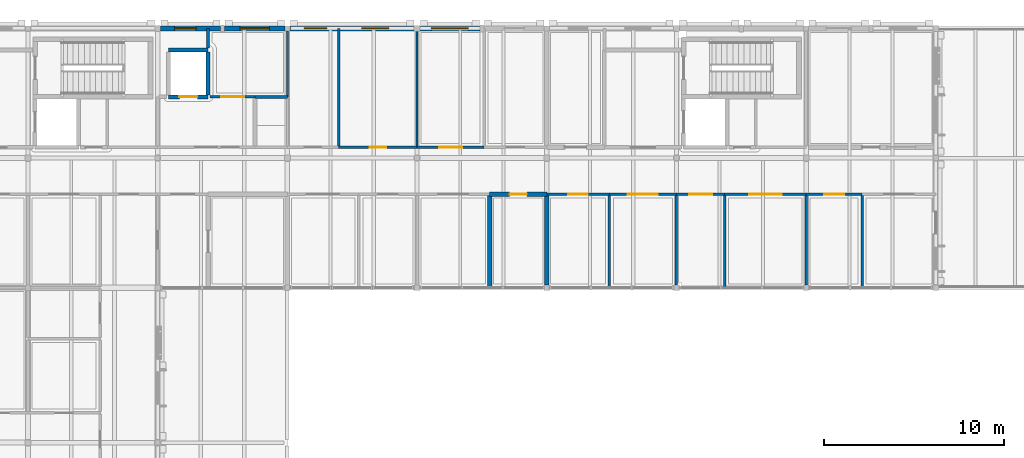
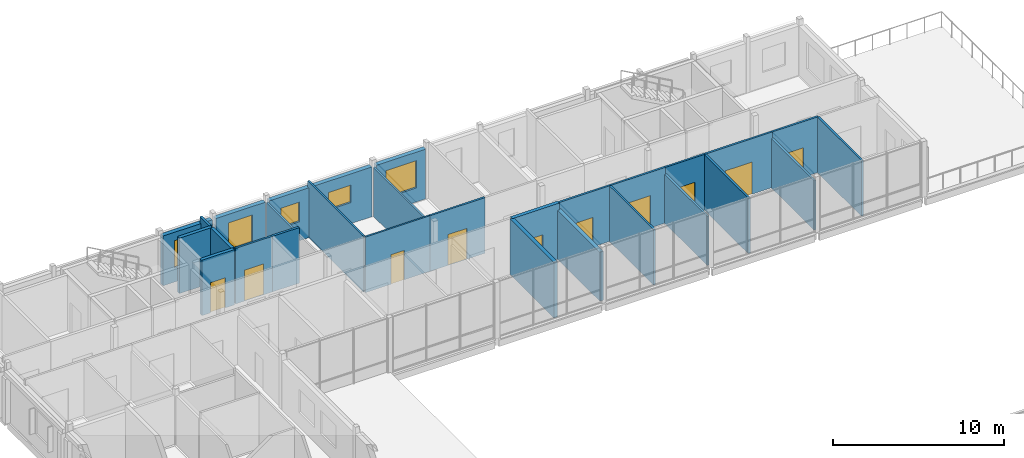
# One storey, part 40 of 57: 28 walls, 10 doors, 5 windows, 15 openings.
"""IFC4 building model written with IfcOpenShell, lengths in metres."""

from ifc_helpers import new_model, si_unit, direction, frame, frame_2d, origin, place, context, subcontext, project, spatial, rectangle, extrude, material, layer, layer_set, type_object, element, fill, save


model = new_model("IFC4")

# Units and contexts
model_context = context("Model", 3, precision=1e-05, world=origin(), true_north=direction((0.0, 1.0)))
body_context = subcontext(model_context, "Body", "Model", "MODEL_VIEW")
ifc_project = project(units=[si_unit("LENGTHUNIT", "METRE"), si_unit("AREAUNIT", "SQUARE_METRE"), si_unit("VOLUMEUNIT", "CUBIC_METRE"), si_unit("PLANEANGLEUNIT", "RADIAN"), si_unit("MASSUNIT", "GRAM", prefix="KILO")], contexts=[model_context])

# Site, building, storey
site_placement = place(None, origin())
site = spatial("IfcSite", under=ifc_project, at=site_placement, CompositionType="ELEMENT")
building_placement = place(site_placement, origin())
building = spatial("IfcBuilding", under=site, at=building_placement, Name="Hawrajan Terrace Health Centre", CompositionType="ELEMENT")
storey_placement = place(building_placement, frame((0.0, 0.0, 13.199951171875)))
storey = spatial("IfcBuildingStorey", under=building, at=storey_placement, Name="L03", CompositionType="ELEMENT", Elevation=13.199951171875)

# Wall, opening, door
ifc_material_1 = material(Name="Gypsum board on acoustic stud framing")
ifc_layer_1 = layer(ifc_material_1, 0.139892578125)
ifc_layer_set_1 = layer_set([ifc_layer_1], Name="Gypsum board on acoustic stud framing")
wall_type_1 = type_object("IfcWallType", Name="ClinicalAcousticWall_140", PredefinedType="PARTITIONING", material=ifc_layer_set_1)
wall_1_placement = place(storey_placement, frame((21.909912109375, 56.0, 0.0), z_axis=(0.0, 0.0, 1.0), x_axis=(1.0, 0.0, 0.0)))
wall_1 = element("IfcWall", 1, at=wall_1_placement, inside=storey, type_object=wall_type_1, Name="Interior wall IW-L03-1310", PredefinedType="PARTITIONING", context=body_context, shape_type="SweptSolid", body=[
    extrude(rectangle(XDim=2.489990234375, YDim=0.139892578125, at=frame_2d((1.2451171875, 0.0))), origin(), (0.0, 0.0, 1.0), 3.9599609375),
])
opening_1_placement = place(wall_1_placement, frame((0.60498046875, 0.0, 0.0)))
opening_1 = element("IfcOpeningElement", 2, at=opening_1_placement, cuts=wall_1, Name="Opening D-L03-600", PredefinedType="OPENING", context=body_context, shape_type="SweptSolid", body=[
    extrude(rectangle(XDim=1.280029296875, YDim=2.199951171875, at=frame_2d((0.64013671875, 1.10009765625))), frame((0.0, 0.079833984375, 0.0), z_axis=(0.0, -1.0, 0.0), x_axis=(1.0, 0.0, 0.0)), (0.0, 0.0, 1.0), 0.159912109375),
])
ifc_material_2 = material(Name="Hardwood acoustic clinical door leaf and frame", Category="wood")
door_type_1 = type_object("IfcDoorType", Name="ExamSuiteDoor_1280x2200", OperationType="NOTDEFINED", PredefinedType="DOOR", material=ifc_material_2)
door_1_placement = place(opening_1_placement, origin())
door_1 = element("IfcDoor", 3, at=door_1_placement, inside=storey, type_object=door_type_1, Name="Interior door D-L03-600", OperationType="SINGLE_SWING_RIGHT", OverallHeight=2.199951171875, OverallWidth=1.280029296875, PredefinedType="DOOR", context=body_context, shape_type="SweptSolid", body=[
    extrude(rectangle(XDim=1.280029296875, YDim=2.199951171875, at=frame_2d((0.64013671875, 1.10009765625))), frame((0.0, 0.02490234375, 0.0), z_axis=(0.0, -1.0, 0.0), x_axis=(1.0, 0.0, 0.0)), (0.0, 0.0, 1.0), 0.050048828125),
])
fill(opening_1, door_1)

wall_2_placement = place(storey_placement, frame((33.39990234375, 53.199951171875, 0.0), z_axis=(0.0, 0.0, 1.0), x_axis=(1.0, 0.0, 0.0)))
wall_2 = element("IfcWall", 4, at=wall_2_placement, inside=storey, type_object=wall_type_1, Name="Interior wall IW-L03-1322", PredefinedType="PARTITIONING", context=body_context, shape_type="SweptSolid", body=[
    extrude(rectangle(XDim=3.72216796875, YDim=0.139892578125, at=frame_2d((1.861083984375, 0.0))), origin(), (0.0, 0.0, 1.0), 3.9599609375),
])
opening_2_placement = place(wall_2_placement, frame((1.220947265625, 0.0, 0.0)))
opening_2 = element("IfcOpeningElement", 5, at=opening_2_placement, cuts=wall_2, Name="Opening D-L03-605", PredefinedType="OPENING", context=body_context, shape_type="SweptSolid", body=[
    extrude(rectangle(XDim=1.280029296875, YDim=2.199951171875, at=frame_2d((0.64013671875, 1.10009765625))), frame((0.0, 0.079833984375, 0.0), z_axis=(0.0, -1.0, 0.0), x_axis=(1.0, 0.0, 0.0)), (0.0, 0.0, 1.0), 0.159912109375),
])
door_2_placement = place(opening_2_placement, origin())
door_2 = element("IfcDoor", 6, at=door_2_placement, inside=storey, type_object=door_type_1, Name="Interior door D-L03-605", OperationType="SINGLE_SWING_LEFT", OverallHeight=2.199951171875, OverallWidth=1.280029296875, PredefinedType="DOOR", context=body_context, shape_type="SweptSolid", body=[
    extrude(rectangle(XDim=1.280029296875, YDim=2.199951171875, at=frame_2d((0.64013671875, 1.10009765625))), frame((0.0, 0.02490234375, 0.0), z_axis=(0.0, -1.0, 0.0), x_axis=(1.0, 0.0, 0.0)), (0.0, 0.0, 1.0), 0.050048828125),
])
fill(opening_2, door_2)

wall_3_placement = place(storey_placement, frame((40.60009765625, 50.60009765625, 0.0), z_axis=(0.0, 0.0, 1.0), x_axis=(1.0, 0.0, 0.0)))
wall_3 = element("IfcWall", 7, at=wall_3_placement, inside=storey, type_object=wall_type_1, Name="Interior wall IW-L03-1328", PredefinedType="PARTITIONING", context=body_context, shape_type="SweptSolid", body=[
    extrude(rectangle(XDim=3.477783203125, YDim=0.139892578125, at=frame_2d((1.73876953125, 0.0))), origin(), (0.0, 0.0, 1.0), 3.9599609375),
])
opening_3_placement = place(wall_3_placement, frame((1.18896484375, 0.0, 0.0)))
opening_3 = element("IfcOpeningElement", 8, at=opening_3_placement, cuts=wall_3, Name="Opening D-L03-607", PredefinedType="OPENING", context=body_context, shape_type="SweptSolid", body=[
    extrude(rectangle(XDim=1.10009765625, YDim=2.10009765625, at=frame_2d((0.550048828125, 1.050048828125))), frame((0.0, 0.079833984375, 0.0), z_axis=(0.0, -1.0, 0.0), x_axis=(1.0, 0.0, 0.0)), (0.0, 0.0, 1.0), 0.159912109375),
])
door_type_2 = type_object("IfcDoorType", Name="ConsultDoor_1100x2100", OperationType="NOTDEFINED", PredefinedType="DOOR", material=ifc_material_2)
door_3_placement = place(opening_3_placement, origin())
door_3 = element("IfcDoor", 9, at=door_3_placement, inside=storey, type_object=door_type_2, Name="Interior door D-L03-607", OperationType="SINGLE_SWING_LEFT", OverallHeight=2.10009765625, OverallWidth=1.10009765625, PredefinedType="DOOR", context=body_context, shape_type="SweptSolid", body=[
    extrude(rectangle(XDim=1.10009765625, YDim=2.10009765625, at=frame_2d((0.550048828125, 1.050048828125))), frame((0.0, 0.02490234375, 0.0), z_axis=(0.0, -1.0, 0.0), x_axis=(1.0, 0.0, 0.0)), (0.0, 0.0, 1.0), 0.050048828125),
])
fill(opening_3, door_3)

# Wall
wall_4_placement = place(storey_placement, frame((44.077880859375, 45.39990234375, 0.0), z_axis=(0.0, 0.0, 1.0), x_axis=(0.0, 1.0, 0.0)))
element("IfcWall", 10, at=wall_4_placement, inside=storey, type_object=wall_type_1, Name="Interior wall IW-L03-1333", PredefinedType="PARTITIONING", context=body_context, shape_type="SweptSolid", body=[
    extrude(rectangle(XDim=5.130126953125, YDim=0.139892578125, at=frame_2d((2.56494140625, 0.0))), origin(), (0.0, 0.0, 1.0), 3.9599609375),
])

# Wall, opening, door
wall_5_placement = place(storey_placement, frame((44.077880859375, 50.60009765625, 0.0), z_axis=(0.0, 0.0, 1.0), x_axis=(1.0, 0.0, 0.0)))
wall_5 = element("IfcWall", 11, at=wall_5_placement, inside=storey, type_object=wall_type_1, Name="Interior wall IW-L03-1334", PredefinedType="PARTITIONING", context=body_context, shape_type="SweptSolid", body=[
    extrude(rectangle(XDim=3.72216796875, YDim=0.139892578125, at=frame_2d((1.861083984375, 0.0))), origin(), (0.0, 0.0, 1.0), 3.9599609375),
])
opening_4_placement = place(wall_5_placement, frame((1.031005859375, 0.0, 0.0)))
opening_4 = element("IfcOpeningElement", 12, at=opening_4_placement, cuts=wall_5, Name="Opening D-L03-608", PredefinedType="OPENING", context=body_context, shape_type="SweptSolid", body=[
    extrude(rectangle(XDim=1.659912109375, YDim=2.300048828125, at=frame_2d((0.830078125, 1.14990234375))), frame((0.0, 0.079833984375, 0.0), z_axis=(0.0, -1.0, 0.0), x_axis=(1.0, 0.0, 0.0)), (0.0, 0.0, 1.0), 0.159912109375),
])
door_type_3 = type_object("IfcDoorType", Name="RehabGymDoor_1660x2300", OperationType="DOUBLE_DOOR_SINGLE_SWING", PredefinedType="DOOR", material=ifc_material_2)
door_4_placement = place(opening_4_placement, origin())
door_4 = element("IfcDoor", 13, at=door_4_placement, inside=storey, type_object=door_type_3, Name="Interior door D-L03-608", OperationType="DOUBLE_DOOR_SINGLE_SWING", OverallHeight=2.300048828125, OverallWidth=1.659912109375, PredefinedType="DOOR", context=body_context, shape_type="SweptSolid", body=[
    extrude(rectangle(XDim=1.659912109375, YDim=2.300048828125, at=frame_2d((0.830078125, 1.14990234375))), frame((0.0, 0.02490234375, 0.0), z_axis=(0.0, -1.0, 0.0), x_axis=(1.0, 0.0, 0.0)), (0.0, 0.0, 1.0), 0.050048828125),
])
fill(opening_4, door_4)

# Wall
wall_6_placement = place(storey_placement, frame((47.800048828125, 45.56005859375, 0.0), z_axis=(0.0, 0.0, 1.0), x_axis=(0.0, 1.0, 0.0)))
element("IfcWall", 14, at=wall_6_placement, inside=storey, type_object=wall_type_1, Name="Interior wall IW-L03-1337", PredefinedType="PARTITIONING", context=body_context, shape_type="SweptSolid", body=[
    extrude(rectangle(XDim=4.969970703125, YDim=0.139892578125, at=frame_2d((2.48486328125, 0.0))), origin(), (0.0, 0.0, 1.0), 3.489990234375),
])

# Wall, opening, door
wall_7_placement = place(storey_placement, frame((47.800048828125, 50.60009765625, 0.0), z_axis=(0.0, 0.0, 1.0), x_axis=(1.0, 0.0, 0.0)))
wall_7 = element("IfcWall", 15, at=wall_7_placement, inside=storey, type_object=wall_type_1, Name="Interior wall IW-L03-1338", PredefinedType="PARTITIONING", context=body_context, shape_type="SweptSolid", body=[
    extrude(rectangle(XDim=2.677978515625, YDim=0.139892578125, at=frame_2d((1.3388671875, 0.0))), origin(), (0.0, 0.0, 1.0), 3.9599609375),
])
opening_5_placement = place(wall_7_placement, frame((0.698974609375, 0.0, 0.0)))
opening_5 = element("IfcOpeningElement", 16, at=opening_5_placement, cuts=wall_7, Name="Opening D-L03-610", PredefinedType="OPENING", context=body_context, shape_type="SweptSolid", body=[
    extrude(rectangle(XDim=1.280029296875, YDim=2.199951171875, at=frame_2d((0.64013671875, 1.10009765625))), frame((0.0, 0.079833984375, 0.0), z_axis=(0.0, -1.0, 0.0), x_axis=(1.0, 0.0, 0.0)), (0.0, 0.0, 1.0), 0.159912109375),
])
door_5_placement = place(opening_5_placement, origin())
door_5 = element("IfcDoor", 17, at=door_5_placement, inside=storey, type_object=door_type_1, Name="Interior door D-L03-610", OperationType="SINGLE_SWING_RIGHT", OverallHeight=2.199951171875, OverallWidth=1.280029296875, PredefinedType="DOOR", context=body_context, shape_type="SweptSolid", body=[
    extrude(rectangle(XDim=1.280029296875, YDim=2.199951171875, at=frame_2d((0.64013671875, 1.10009765625))), frame((0.0, 0.02490234375, 0.0), z_axis=(0.0, -1.0, 0.0), x_axis=(1.0, 0.0, 0.0)), (0.0, 0.0, 1.0), 0.050048828125),
])
fill(opening_5, door_5)

# Wall
wall_8_placement = place(storey_placement, frame((50.47802734375, 45.39990234375, 0.0), z_axis=(0.0, 0.0, 1.0), x_axis=(0.0, 1.0, 0.0)))
element("IfcWall", 18, at=wall_8_placement, inside=storey, type_object=wall_type_1, Name="Interior wall IW-L03-1339", PredefinedType="PARTITIONING", context=body_context, shape_type="SweptSolid", body=[
    extrude(rectangle(XDim=5.130126953125, YDim=0.139892578125, at=frame_2d((2.56494140625, 0.0))), origin(), (0.0, 0.0, 1.0), 3.9599609375),
])

# Wall, opening, door
wall_9_placement = place(storey_placement, frame((50.47802734375, 50.60009765625, 0.0), z_axis=(0.0, 0.0, 1.0), x_axis=(1.0, 0.0, 0.0)))
wall_9 = element("IfcWall", 19, at=wall_9_placement, inside=storey, type_object=wall_type_1, Name="Interior wall IW-L03-1340", PredefinedType="PARTITIONING", context=body_context, shape_type="SweptSolid", body=[
    extrude(rectangle(XDim=4.52197265625, YDim=0.139892578125, at=frame_2d((2.260986328125, 0.0))), origin(), (0.0, 0.0, 1.0), 3.9599609375),
])
opening_6_placement = place(wall_9_placement, frame((1.361083984375, 0.0, 0.0)))
opening_6 = element("IfcOpeningElement", 20, at=opening_6_placement, cuts=wall_9, Name="Opening D-L03-611", PredefinedType="OPENING", context=body_context, shape_type="SweptSolid", body=[
    extrude(rectangle(XDim=1.800048828125, YDim=2.300048828125, at=frame_2d((0.89990234375, 1.14990234375))), frame((0.0, 0.079833984375, 0.0), z_axis=(0.0, -1.0, 0.0), x_axis=(1.0, 0.0, 0.0)), (0.0, 0.0, 1.0), 0.159912109375),
])
door_type_4 = type_object("IfcDoorType", Name="EducationHallDoor_1800x2300", OperationType="DOUBLE_DOOR_SINGLE_SWING", PredefinedType="DOOR", material=ifc_material_2)
door_6_placement = place(opening_6_placement, origin())
door_6 = element("IfcDoor", 21, at=door_6_placement, inside=storey, type_object=door_type_4, Name="Interior door D-L03-611", OperationType="DOUBLE_DOOR_SINGLE_SWING", OverallHeight=2.300048828125, OverallWidth=1.800048828125, PredefinedType="DOOR", context=body_context, shape_type="SweptSolid", body=[
    extrude(rectangle(XDim=1.800048828125, YDim=2.300048828125, at=frame_2d((0.89990234375, 1.14990234375))), frame((0.0, 0.02490234375, 0.0), z_axis=(0.0, -1.0, 0.0), x_axis=(1.0, 0.0, 0.0)), (0.0, 0.0, 1.0), 0.050048828125),
])
fill(opening_6, door_6)

# Wall
wall_10_placement = place(storey_placement, frame((55.0, 45.5400390625, 0.0), z_axis=(0.0, 0.0, 1.0), x_axis=(0.0, 1.0, 0.0)))
element("IfcWall", 22, at=wall_10_placement, inside=storey, type_object=wall_type_1, Name="Interior wall IW-L03-1346", PredefinedType="PARTITIONING", context=body_context, shape_type="SweptSolid", body=[
    extrude(rectangle(XDim=4.989990234375, YDim=0.139892578125, at=frame_2d((2.4951171875, 0.0))), origin(), (0.0, 0.0, 1.0), 3.52001953125),
])

# Wall, opening, door
wall_11_placement = place(storey_placement, frame((55.0, 50.60009765625, 0.0), z_axis=(0.0, 0.0, 1.0), x_axis=(1.0, 0.0, 0.0)))
wall_11 = element("IfcWall", 23, at=wall_11_placement, inside=storey, type_object=wall_type_1, Name="Interior wall IW-L03-1347", PredefinedType="PARTITIONING", context=body_context, shape_type="SweptSolid", body=[
    extrude(rectangle(XDim=3.110107421875, YDim=0.139892578125, at=frame_2d((1.55517578125, 0.0))), origin(), (0.0, 0.0, 1.0), 3.9599609375),
])
opening_7_placement = place(wall_11_placement, frame((1.0048828125, 0.0, 0.0)))
opening_7 = element("IfcOpeningElement", 24, at=opening_7_placement, cuts=wall_11, Name="Opening D-L03-612", PredefinedType="OPENING", context=body_context, shape_type="SweptSolid", body=[
    extrude(rectangle(XDim=1.10009765625, YDim=2.10009765625, at=frame_2d((0.550048828125, 1.050048828125))), frame((0.0, 0.079833984375, 0.0), z_axis=(0.0, -1.0, 0.0), x_axis=(1.0, 0.0, 0.0)), (0.0, 0.0, 1.0), 0.159912109375),
])
door_7_placement = place(opening_7_placement, origin())
door_7 = element("IfcDoor", 25, at=door_7_placement, inside=storey, type_object=door_type_2, Name="Interior door D-L03-612", OperationType="SINGLE_SWING_RIGHT", OverallHeight=2.10009765625, OverallWidth=1.10009765625, PredefinedType="DOOR", context=body_context, shape_type="SweptSolid", body=[
    extrude(rectangle(XDim=1.10009765625, YDim=2.10009765625, at=frame_2d((0.550048828125, 1.050048828125))), frame((0.0, 0.02490234375, 0.0), z_axis=(0.0, -1.0, 0.0), x_axis=(1.0, 0.0, 0.0)), (0.0, 0.0, 1.0), 0.050048828125),
])
fill(opening_7, door_7)

# Walls
wall_12_placement = place(storey_placement, frame((58.110107421875, 45.39990234375, 0.0), z_axis=(0.0, 0.0, 1.0), x_axis=(0.0, 1.0, 0.0)))
element("IfcWall", 26, at=wall_12_placement, inside=storey, type_object=wall_type_1, Name="Interior wall IW-L03-1352", PredefinedType="PARTITIONING", context=body_context, shape_type="SweptSolid", body=[
    extrude(rectangle(XDim=5.130126953125, YDim=0.139892578125, at=frame_2d((2.56494140625, 0.0))), origin(), (0.0, 0.0, 1.0), 3.9599609375),
])
ifc_layer_2 = layer(ifc_material_1, 0.159912109375)
ifc_layer_set_2 = layer_set([ifc_layer_2], Name="Gypsum board on acoustic stud framing")
wall_type_2 = type_object("IfcWallType", Name="CorridorFireWall_160", PredefinedType="PARTITIONING", material=ifc_layer_set_2)
wall_13_placement = place(storey_placement, frame((24.39990234375, 56.0, 0.0), z_axis=(0.0, 0.0, 1.0), x_axis=(1.0, 0.0, 0.0)))
element("IfcWall", 27, at=wall_13_placement, inside=storey, type_object=wall_type_2, Name="Interior wall IW-L03-1410", PredefinedType="PARTITIONING", context=body_context, shape_type="SweptSolid", body=[
    extrude(rectangle(XDim=1.800048828125, YDim=0.159912109375, at=frame_2d((0.89990234375, 0.0))), origin(), (0.0, 0.0, 1.0), 3.9599609375),
])
wall_14_placement = place(storey_placement, frame((21.800048828125, 58.7099609375, 0.0), z_axis=(0.0, 0.0, 1.0), x_axis=(0.0, 1.0, 0.0)))
element("IfcWall", 28, at=wall_14_placement, inside=storey, type_object=wall_type_2, Name="Interior wall IW-L03-1411", PredefinedType="PARTITIONING", context=body_context, shape_type="SweptSolid", body=[
    extrude(rectangle(XDim=1.090087890625, YDim=0.159912109375, at=frame_2d((0.544921875, 0.0))), origin(), (0.0, 0.0, 1.0), 3.9599609375),
])

# Wall, opening, window
ifc_material_3 = material(Name="Cross-laminated timber CLT C24", Category="wood")
ifc_layer_3 = layer(ifc_material_3, 0.2900390625)
ifc_layer_set_3 = layer_set([ifc_layer_3], Name="Cross-laminated timber CLT C24")
wall_type_3 = type_object("IfcWallType", Name="InsulatedTimberFacade_290", PredefinedType="SOLIDWALL", material=ifc_layer_set_3)
wall_15_placement = place(storey_placement, frame((19.159912109375, 59.800048828125, 0.0), z_axis=(0.0, 0.0, 1.0), x_axis=(1.0, 0.0, 0.0)))
wall_15 = element("IfcWall", 29, at=wall_15_placement, inside=storey, type_object=wall_type_3, Name="Exterior wall EW-L03-H02-07-1", PredefinedType="SOLIDWALL", context=body_context, shape_type="SweptSolid", body=[
    extrude(rectangle(XDim=3.320068359375, YDim=0.2900390625, at=frame_2d((1.66015625, 0.0))), origin(), (0.0, 0.0, 1.0), 3.550048828125),
])
opening_8_placement = place(wall_15_placement, frame((0.780029296875, 0.0, 1.0)))
opening_8 = element("IfcOpeningElement", 30, at=opening_8_placement, cuts=wall_15, Name="Opening W-L03-184", PredefinedType="OPENING", context=body_context, shape_type="SweptSolid", body=[
    extrude(rectangle(XDim=1.199951171875, YDim=1.949951171875, at=frame_2d((0.60009765625, 0.97509765625))), frame((0.0, 0.155029296875, 0.0), z_axis=(0.0, -1.0, 0.0), x_axis=(1.0, 0.0, 0.0)), (0.0, 0.0, 1.0), 0.31005859375),
])
ifc_material_4 = material(Name="Anodized bronze frame with double low-E glazing", Category="glass")
window_type_1 = type_object("IfcWindowType", Name="FacadeWindow_1200x1950", PartitioningType="SINGLE_PANEL", PredefinedType="WINDOW", material=ifc_material_4)
window_1_placement = place(opening_8_placement, origin())
window_1 = element("IfcWindow", 31, at=window_1_placement, inside=storey, type_object=window_type_1, Name="Window W-L03-184", OverallHeight=1.949951171875, OverallWidth=1.199951171875, PartitioningType="SINGLE_PANEL", PredefinedType="WINDOW", context=body_context, shape_type="SweptSolid", body=[
    extrude(rectangle(XDim=1.199951171875, YDim=1.949951171875, at=frame_2d((0.60009765625, 0.97509765625))), frame((0.0, 0.030029296875, 0.0), z_axis=(0.0, -1.0, 0.0), x_axis=(1.0, 0.0, 0.0)), (0.0, 0.0, 1.0), 0.06005859375),
])
fill(opening_8, window_1)

wall_16_placement = place(storey_placement, frame((22.719970703125, 59.800048828125, 0.0), z_axis=(0.0, 0.0, 1.0), x_axis=(1.0, 0.0, 0.0)))
wall_16 = element("IfcWall", 32, at=wall_16_placement, inside=storey, type_object=wall_type_3, Name="Exterior wall EW-L03-H02-07-2", PredefinedType="SOLIDWALL", context=body_context, shape_type="SweptSolid", body=[
    extrude(rectangle(XDim=3.340087890625, YDim=0.2900390625, at=frame_2d((1.669921875, 0.0))), origin(), (0.0, 0.0, 1.0), 3.550048828125),
])
opening_9_placement = place(wall_16_placement, frame((0.860107421875, 0.0, 1.0)))
opening_9 = element("IfcOpeningElement", 33, at=opening_9_placement, cuts=wall_16, Name="Opening W-L03-185", PredefinedType="OPENING", context=body_context, shape_type="SweptSolid", body=[
    extrude(rectangle(XDim=1.6201171875, YDim=1.949951171875, at=frame_2d((0.81005859375, 0.97509765625))), frame((0.0, 0.155029296875, 0.0), z_axis=(0.0, -1.0, 0.0), x_axis=(1.0, 0.0, 0.0)), (0.0, 0.0, 1.0), 0.31005859375),
])
window_type_2 = type_object("IfcWindowType", Name="FacadeWindow_1620x1950", PartitioningType="DOUBLE_PANEL_VERTICAL", PredefinedType="WINDOW", material=ifc_material_4)
window_2_placement = place(opening_9_placement, origin())
window_2 = element("IfcWindow", 34, at=window_2_placement, inside=storey, type_object=window_type_2, Name="Window W-L03-185", OverallHeight=1.949951171875, OverallWidth=1.6201171875, PartitioningType="DOUBLE_PANEL_VERTICAL", PredefinedType="WINDOW", context=body_context, shape_type="SweptSolid", body=[
    extrude(rectangle(XDim=1.6201171875, YDim=1.949951171875, at=frame_2d((0.81005859375, 0.97509765625))), frame((0.0, 0.030029296875, 0.0), z_axis=(0.0, -1.0, 0.0), x_axis=(1.0, 0.0, 0.0)), (0.0, 0.0, 1.0), 0.06005859375),
])
fill(opening_9, window_2)

# Wall, openings, windows
wall_17_placement = place(storey_placement, frame((26.340087890625, 59.800048828125, 0.0), z_axis=(0.0, 0.0, 1.0), x_axis=(1.0, 0.0, 0.0)))
wall_17 = element("IfcWall", 35, at=wall_17_placement, inside=storey, type_object=wall_type_3, Name="Exterior wall EW-L03-H03-07-1", PredefinedType="SOLIDWALL", context=body_context, shape_type="SweptSolid", body=[
    extrude(rectangle(XDim=6.89990234375, YDim=0.2900390625, at=frame_2d((3.449951171875, 0.0))), origin(), (0.0, 0.0, 1.0), 3.550048828125),
])
opening_10_placement = place(wall_17_placement, frame((0.7900390625, 0.0, 1.35009765625)))
opening_10 = element("IfcOpeningElement", 36, at=opening_10_placement, cuts=wall_17, Name="Opening W-L03-186", PredefinedType="OPENING", context=body_context, shape_type="SweptSolid", body=[
    extrude(rectangle(XDim=1.25, YDim=1.39990234375, at=frame_2d((0.625, 0.699951171875))), frame((0.0, 0.155029296875, 0.0), z_axis=(0.0, -1.0, 0.0), x_axis=(1.0, 0.0, 0.0)), (0.0, 0.0, 1.0), 0.31005859375),
])
opening_11_placement = place(wall_17_placement, frame((3.9951171875, 0.0, 1.5)))
opening_11 = element("IfcOpeningElement", 37, at=opening_11_placement, cuts=wall_17, Name="Opening W-L03-187", PredefinedType="OPENING", context=body_context, shape_type="SweptSolid", body=[
    extrude(rectangle(XDim=1.5, YDim=1.25, at=frame_2d((0.75, 0.625))), frame((0.0, 0.155029296875, 0.0), z_axis=(0.0, -1.0, 0.0), x_axis=(1.0, 0.0, 0.0)), (0.0, 0.0, 1.0), 0.31005859375),
])
window_type_3 = type_object("IfcWindowType", Name="FacadeWindow_1250x1400", PartitioningType="SINGLE_PANEL", PredefinedType="WINDOW", material=ifc_material_4)
window_3_placement = place(opening_10_placement, origin())
window_3 = element("IfcWindow", 38, at=window_3_placement, inside=storey, type_object=window_type_3, Name="Window W-L03-186", OverallHeight=1.39990234375, OverallWidth=1.25, PartitioningType="SINGLE_PANEL", PredefinedType="WINDOW", context=body_context, shape_type="SweptSolid", body=[
    extrude(rectangle(XDim=1.25, YDim=1.39990234375, at=frame_2d((0.625, 0.699951171875))), frame((0.0, 0.030029296875, 0.0), z_axis=(0.0, -1.0, 0.0), x_axis=(1.0, 0.0, 0.0)), (0.0, 0.0, 1.0), 0.06005859375),
])
fill(opening_10, window_3)
window_type_4 = type_object("IfcWindowType", Name="FacadeWindow_1500x1250", PartitioningType="DOUBLE_PANEL_VERTICAL", PredefinedType="WINDOW", material=ifc_material_4)
window_4_placement = place(opening_11_placement, origin())
window_4 = element("IfcWindow", 39, at=window_4_placement, inside=storey, type_object=window_type_4, Name="Window W-L03-187", OverallHeight=1.25, OverallWidth=1.5, PartitioningType="DOUBLE_PANEL_VERTICAL", PredefinedType="WINDOW", context=body_context, shape_type="SweptSolid", body=[
    extrude(rectangle(XDim=1.5, YDim=1.25, at=frame_2d((0.75, 0.625))), frame((0.0, 0.030029296875, 0.0), z_axis=(0.0, -1.0, 0.0), x_axis=(1.0, 0.0, 0.0)), (0.0, 0.0, 1.0), 0.06005859375),
])
fill(opening_11, window_4)

# Wall, opening, window
wall_18_placement = place(storey_placement, frame((33.56005859375, 59.800048828125, 0.0), z_axis=(0.0, 0.0, 1.0), x_axis=(1.0, 0.0, 0.0)))
wall_18 = element("IfcWall", 40, at=wall_18_placement, inside=storey, type_object=wall_type_3, Name="Exterior wall EW-L03-H04-07-1", PredefinedType="SOLIDWALL", context=body_context, shape_type="SweptSolid", body=[
    extrude(rectangle(XDim=3.31982421875, YDim=0.2900390625, at=frame_2d((1.659912109375, 0.0))), origin(), (0.0, 0.0, 1.0), 3.550048828125),
])
opening_12_placement = place(wall_18_placement, frame((0.635009765625, 0.0, 1.0)))
opening_12 = element("IfcOpeningElement", 41, at=opening_12_placement, cuts=wall_18, Name="Opening W-L03-188", PredefinedType="OPENING", context=body_context, shape_type="SweptSolid", body=[
    extrude(rectangle(XDim=2.050048828125, YDim=1.949951171875, at=frame_2d((1.02490234375, 0.97509765625))), frame((0.0, 0.155029296875, 0.0), z_axis=(0.0, -1.0, 0.0), x_axis=(1.0, 0.0, 0.0)), (0.0, 0.0, 1.0), 0.31005859375),
])
window_type_5 = type_object("IfcWindowType", Name="FacadeWindow_2050x1950", PartitioningType="DOUBLE_PANEL_VERTICAL", PredefinedType="WINDOW", material=ifc_material_4)
window_5_placement = place(opening_12_placement, origin())
window_5 = element("IfcWindow", 42, at=window_5_placement, inside=storey, type_object=window_type_5, Name="Window W-L03-188", OverallHeight=1.949951171875, OverallWidth=2.050048828125, PartitioningType="DOUBLE_PANEL_VERTICAL", PredefinedType="WINDOW", context=body_context, shape_type="SweptSolid", body=[
    extrude(rectangle(XDim=2.050048828125, YDim=1.949951171875, at=frame_2d((1.02490234375, 0.97509765625))), frame((0.0, 0.030029296875, 0.0), z_axis=(0.0, -1.0, 0.0), x_axis=(1.0, 0.0, 0.0)), (0.0, 0.0, 1.0), 0.06005859375),
])
fill(opening_12, window_5)

# Wall
ifc_material_5 = material(Name="Concrete C40/50", Category="concrete")
ifc_layer_4 = layer(ifc_material_5, 0.25)
ifc_layer_set_4 = layer_set([ifc_layer_4], Name="Concrete C40/50")
wall_type_4 = type_object("IfcWallType", Name="RadiationShieldWall_RC250", PredefinedType="SOLIDWALL", material=ifc_layer_set_4)
wall_19_placement = place(storey_placement, frame((37.425048828125, 45.39990234375, 0.0), z_axis=(0.0, 0.0, 1.0), x_axis=(0.0, 1.0, 0.0)))
element("IfcWall", 43, at=wall_19_placement, inside=storey, type_object=wall_type_4, Name="Interior wall IW-L03-1325", PredefinedType="SOLIDWALL", context=body_context, shape_type="SweptSolid", body=[
    extrude(rectangle(XDim=5.130126953125, YDim=0.25, at=frame_2d((2.56494140625, 0.0))), origin(), (0.0, 0.0, 1.0), 3.9599609375),
])

# Wall, opening, door
wall_20_placement = place(storey_placement, frame((37.425048828125, 50.60009765625, 0.0), z_axis=(0.0, 0.0, 1.0), x_axis=(1.0, 0.0, 0.0)))
wall_20 = element("IfcWall", 44, at=wall_20_placement, inside=storey, type_object=wall_type_4, Name="Interior wall IW-L03-1326", PredefinedType="SOLIDWALL", context=body_context, shape_type="SweptSolid", body=[
    extrude(rectangle(XDim=3.175048828125, YDim=0.25, at=frame_2d((1.58740234375, 0.0))), origin(), (0.0, 0.0, 1.0), 3.9599609375),
])
opening_13_placement = place(wall_20_placement, frame((1.107421875, 0.0, 0.0)))
opening_13 = element("IfcOpeningElement", 45, at=opening_13_placement, cuts=wall_20, Name="Opening D-L03-604", PredefinedType="OPENING", context=body_context, shape_type="SweptSolid", body=[
    extrude(rectangle(XDim=0.9599609375, YDim=2.10009765625, at=frame_2d((0.47998046875, 1.050048828125))), frame((0.0, 0.135009765625, 0.0), z_axis=(0.0, -1.0, 0.0), x_axis=(1.0, 0.0, 0.0)), (0.0, 0.0, 1.0), 0.27001953125),
])
ifc_material_6 = material(Name="Timber-veneered acoustic fire-resisting door assembly", Category="wood")
door_type_5 = type_object("IfcDoorType", Name="ClinicalFireDoor_960x2100", OperationType="NOTDEFINED", PredefinedType="DOOR", material=ifc_material_6)
door_8_placement = place(opening_13_placement, origin())
door_8 = element("IfcDoor", 46, at=door_8_placement, inside=storey, type_object=door_type_5, Name="Interior door D-L03-604", OperationType="SINGLE_SWING_RIGHT", OverallHeight=2.10009765625, OverallWidth=0.9599609375, PredefinedType="DOOR", context=body_context, shape_type="SweptSolid", body=[
    extrude(rectangle(XDim=0.9599609375, YDim=2.10009765625, at=frame_2d((0.47998046875, 1.050048828125))), frame((0.0, 0.02490234375, 0.0), z_axis=(0.0, -1.0, 0.0), x_axis=(1.0, 0.0, 0.0)), (0.0, 0.0, 1.0), 0.050048828125),
])
fill(opening_13, door_8)

# Wall
wall_21_placement = place(storey_placement, frame((40.60009765625, 45.5400390625, 0.0), z_axis=(0.0, 0.0, 1.0), x_axis=(0.0, 1.0, 0.0)))
element("IfcWall", 47, at=wall_21_placement, inside=storey, type_object=wall_type_4, Name="Interior wall IW-L03-1327", PredefinedType="SOLIDWALL", context=body_context, shape_type="SweptSolid", body=[
    extrude(rectangle(XDim=4.989990234375, YDim=0.25, at=frame_2d((2.4951171875, 0.0))), origin(), (0.0, 0.0, 1.0), 3.489990234375),
])

# Wall, opening, door
ifc_layer_5 = layer(ifc_material_5, 0.219970703125)
ifc_layer_set_5 = layer_set([ifc_layer_5], Name="Concrete C40/50")
wall_type_5 = type_object("IfcWallType", Name="ShaftWall_RC220", PredefinedType="SOLIDWALL", material=ifc_layer_set_5)
wall_22_placement = place(storey_placement, frame((19.60009765625, 56.0, 0.0), z_axis=(0.0, 0.0, 1.0), x_axis=(1.0, 0.0, 0.0)))
wall_22 = element("IfcWall", 48, at=wall_22_placement, inside=storey, type_object=wall_type_5, Name="Lift shaft wall LW-LC-02-L03-S", PredefinedType="SOLIDWALL", context=body_context, shape_type="SweptSolid", body=[
    extrude(rectangle(XDim=2.199951171875, YDim=0.219970703125, at=frame_2d((1.10009765625, 0.0))), origin(), (0.0, 0.0, 1.0), 3.949951171875),
])
opening_14_placement = place(wall_22_placement, frame((0.60009765625, 0.0, 0.0)))
opening_14 = element("IfcOpeningElement", 49, at=opening_14_placement, cuts=wall_22, Name="Opening LD-L03-LC-02", PredefinedType="OPENING", context=body_context, shape_type="SweptSolid", body=[
    extrude(rectangle(XDim=1.0, YDim=2.14990234375, at=frame_2d((0.5, 1.074951171875))), frame((0.0, 0.119873046875, 0.0), z_axis=(0.0, -1.0, 0.0), x_axis=(1.0, 0.0, 0.0)), (0.0, 0.0, 1.0), 0.239990234375),
])
ifc_material_7 = material(Name="Brushed bronze stainless-steel sliding lift landing door", Category="steel")
door_type_6 = type_object("IfcDoorType", Name="LiftLandingDoor_1000x2150", OperationType="SLIDING_TO_LEFT", PredefinedType="DOOR", material=ifc_material_7)
door_9_placement = place(opening_14_placement, origin())
door_9 = element("IfcDoor", 50, at=door_9_placement, inside=storey, type_object=door_type_6, Name="Lift landing door LD-L03-LC-02", OperationType="SLIDING_TO_LEFT", OverallHeight=2.14990234375, OverallWidth=1.0, PredefinedType="DOOR", context=body_context, shape_type="SweptSolid", body=[
    extrude(rectangle(XDim=1.0, YDim=2.14990234375, at=frame_2d((0.5, 1.074951171875))), frame((0.0, 0.02490234375, 0.0), z_axis=(0.0, -1.0, 0.0), x_axis=(1.0, 0.0, 0.0)), (0.0, 0.0, 1.0), 0.050048828125),
])
fill(opening_14, door_9)

# Walls
wall_23_placement = place(storey_placement, frame((19.60009765625, 58.60009765625, 0.0), z_axis=(0.0, 0.0, 1.0), x_axis=(1.0, 0.0, 0.0)))
element("IfcWall", 51, at=wall_23_placement, inside=storey, type_object=wall_type_5, Name="Lift shaft wall LW-LC-02-L03-N", PredefinedType="SOLIDWALL", context=body_context, shape_type="SweptSolid", body=[
    extrude(rectangle(XDim=2.199951171875, YDim=0.219970703125, at=frame_2d((1.10009765625, 0.0))), origin(), (0.0, 0.0, 1.0), 3.949951171875),
])
wall_24_placement = place(storey_placement, frame((21.800048828125, 56.110107421875, 0.0), z_axis=(0.0, 0.0, 1.0), x_axis=(0.0, 1.0, 0.0)))
element("IfcWall", 52, at=wall_24_placement, inside=storey, type_object=wall_type_5, Name="Lift shaft wall LW-LC-02-L03-E", PredefinedType="SOLIDWALL", context=body_context, shape_type="SweptSolid", body=[
    extrude(rectangle(XDim=2.3798828125, YDim=0.219970703125, at=frame_2d((1.18994140625, 0.0))), origin(), (0.0, 0.0, 1.0), 3.949951171875),
])
ifc_material_8 = material(Name="Moisture-resistant board on stud framing")
ifc_layer_6 = layer(ifc_material_8, 0.1201171875)
ifc_layer_set_6 = layer_set([ifc_layer_6], Name="Moisture-resistant board on stud framing")
wall_type_6 = type_object("IfcWallType", Name="WetRoomPartition_120", PredefinedType="PLUMBINGWALL", material=ifc_layer_set_6)
wall_25_placement = place(storey_placement, frame((26.199951171875, 56.0, 0.0), z_axis=(0.0, 0.0, 1.0), x_axis=(0.0, 1.0, 0.0)))
element("IfcWall", 53, at=wall_25_placement, inside=storey, type_object=wall_type_6, Name="Interior wall IW-L03-1314", PredefinedType="PLUMBINGWALL", context=body_context, shape_type="SweptSolid", body=[
    extrude(rectangle(XDim=3.659912109375, YDim=0.1201171875, at=frame_2d((1.830078125, 0.0))), origin(), (0.0, 0.0, 1.0), 3.489990234375),
])
wall_26_placement = place(storey_placement, frame((29.050048828125, 53.27001953125, 0.0), z_axis=(0.0, 0.0, 1.0), x_axis=(0.0, 1.0, 0.0)))
element("IfcWall", 54, at=wall_26_placement, inside=storey, type_object=wall_type_6, Name="Interior wall IW-L03-1315", PredefinedType="PLUMBINGWALL", context=body_context, shape_type="SweptSolid", body=[
    extrude(rectangle(XDim=6.530029296875, YDim=0.1201171875, at=frame_2d((3.26513671875, 0.0))), origin(), (0.0, 0.0, 1.0), 3.9599609375),
])

# Wall, opening, door
wall_27_placement = place(storey_placement, frame((29.050048828125, 53.199951171875, 0.0), z_axis=(0.0, 0.0, 1.0), x_axis=(1.0, 0.0, 0.0)))
wall_27 = element("IfcWall", 55, at=wall_27_placement, inside=storey, type_object=wall_type_6, Name="Interior wall IW-L03-1316", PredefinedType="PLUMBINGWALL", context=body_context, shape_type="SweptSolid", body=[
    extrude(rectangle(XDim=4.349853515625, YDim=0.1201171875, at=frame_2d((2.1748046875, 0.0))), origin(), (0.0, 0.0, 1.0), 3.9599609375),
])
opening_15_placement = place(wall_27_placement, frame((1.72509765625, 0.0, 0.0)))
opening_15 = element("IfcOpeningElement", 56, at=opening_15_placement, cuts=wall_27, Name="Opening D-L03-584", PredefinedType="OPENING", context=body_context, shape_type="SweptSolid", body=[
    extrude(rectangle(XDim=0.89990234375, YDim=2.10009765625, at=frame_2d((0.449951171875, 1.050048828125))), frame((0.0, 0.070068359375, 0.0), z_axis=(0.0, -1.0, 0.0), x_axis=(1.0, 0.0, 0.0)), (0.0, 0.0, 1.0), 0.14013671875),
])
door_type_7 = type_object("IfcDoorType", Name="PatientWCDoor_900x2100", OperationType="NOTDEFINED", PredefinedType="DOOR", material=ifc_material_2)
door_10_placement = place(opening_15_placement, origin())
door_10 = element("IfcDoor", 57, at=door_10_placement, inside=storey, type_object=door_type_7, Name="Interior door D-L03-584", OperationType="SINGLE_SWING_RIGHT", OverallHeight=2.10009765625, OverallWidth=0.89990234375, PredefinedType="DOOR", context=body_context, shape_type="SweptSolid", body=[
    extrude(rectangle(XDim=0.89990234375, YDim=2.10009765625, at=frame_2d((0.449951171875, 1.050048828125))), frame((0.0, 0.02490234375, 0.0), z_axis=(0.0, -1.0, 0.0), x_axis=(1.0, 0.0, 0.0)), (0.0, 0.0, 1.0), 0.050048828125),
])
fill(opening_15, door_10)

# Wall
wall_28_placement = place(storey_placement, frame((33.39990234375, 53.27001953125, 0.0), z_axis=(0.0, 0.0, 1.0), x_axis=(0.0, 1.0, 0.0)))
element("IfcWall", 58, at=wall_28_placement, inside=storey, type_object=wall_type_6, Name="Interior wall IW-L03-1321", PredefinedType="PLUMBINGWALL", context=body_context, shape_type="SweptSolid", body=[
    extrude(rectangle(XDim=6.369873046875, YDim=0.1201171875, at=frame_2d((3.18505859375, 0.0))), origin(), (0.0, 0.0, 1.0), 3.489990234375),
])

save(model, "model.ifc")
